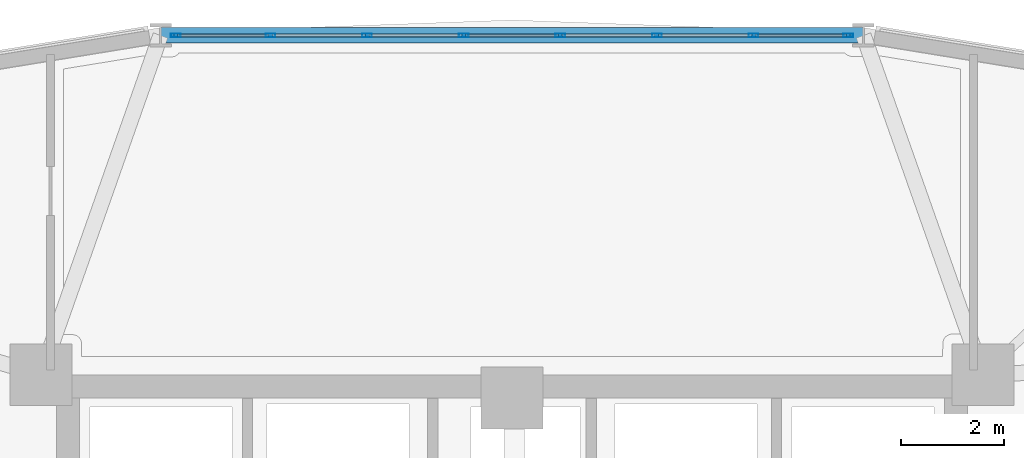
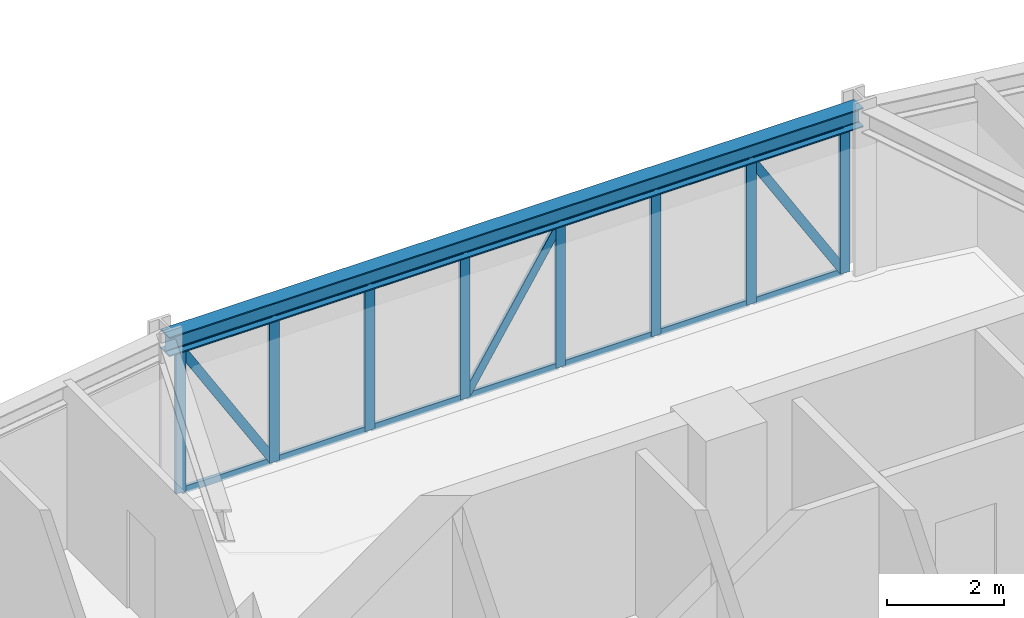
# One storey, part 8 of 17: 25 members, 1 beam, 1 element without a shape of its own.
"""IFC4 building model written with IfcOpenShell, lengths in metres."""

from ifc_helpers import new_model, si_unit, derived_unit, direction, frame, origin, origin_2d, place, context, subcontext, project, spatial, hollow_rectangle, i_section, extrude, source, transform, mapped, material, layer, layer_set, material_profile, profile_set, type_object, element, aggregate, save


model = new_model("IFC4")

# Units and contexts
model_context = context("Model", 3, precision=1e-05, world=origin(), true_north=direction((0.0, 1.0)))
body_context = subcontext(model_context, "Body", "Model", "MODEL_VIEW")
ifc_project = project(units=[si_unit("LENGTHUNIT", "METRE"), si_unit("AREAUNIT", "SQUARE_METRE"), si_unit("VOLUMEUNIT", "CUBIC_METRE"), si_unit("PLANEANGLEUNIT", "RADIAN"), si_unit("MASSUNIT", "GRAM", prefix="KILO"), derived_unit("THERMALTRANSMITTANCEUNIT", [(si_unit("POWERUNIT", "WATT"), 1), (si_unit("LENGTHUNIT", "METRE"), -2), (si_unit("THERMODYNAMICTEMPERATUREUNIT", "KELVIN"), -1)])], contexts=[model_context])

# Site, building, storey
site_placement = place(None, origin())
site = spatial("IfcSite", under=ifc_project, at=site_placement, CompositionType="ELEMENT")
building_placement = place(site_placement, origin())
building = spatial("IfcBuilding", under=site, at=building_placement, Name="Korsvarv Bourse and Concert Hall", CompositionType="ELEMENT")
storey_placement = place(building_placement, frame((0.0, 0.0, 124.199951171875)))
storey = spatial("IfcBuildingStorey", under=building, at=storey_placement, Name="L31", CompositionType="ELEMENT", Elevation=124.199951171875)

# Beam
ifc_material_1 = material(Name="Steel S355", Category="steel")
ifc_material_profile_1 = material_profile(ifc_material_1, i_section(OverallWidth=0.300048828125, OverallDepth=0.39990234375, WebThickness=0.013427734375, FlangeThickness=0.02392578125, FilletRadius=0.02099609375, at=origin_2d()), Name="HEB 400")
ifc_profile_set_1 = profile_set([ifc_material_profile_1], Name="Steel S355")
beam_type = type_object("IfcBeamType", Name="BM-HEB400", PredefinedType="SPANDREL", material=ifc_profile_set_1)
shared_shape_1 = source(origin(), body_context, "Body", "SweptSolid", [
    extrude(i_section(OverallWidth=0.300048828125, OverallDepth=0.39990234375, WebThickness=0.013427734375, FlangeThickness=0.02392578125, FilletRadius=0.02099609375, at=origin_2d()), origin(), (0.0, 0.0, 1.0), 13.6533203125),
])
beam_placement = place(storey_placement, frame((42.82666015625, 53.84130859375, 3.199951171875), z_axis=(-1.0, 0.0, 0.0), x_axis=(0.0, -1.0, 0.0)))
element("IfcBeam", 1, at=beam_placement, inside=storey, type_object=beam_type, Name="L31 beam B-09", PredefinedType="SPANDREL", context=body_context, shape_type="MappedRepresentation", body=[
    mapped(shared_shape_1, transform((0.0, 0.0, 0.0), scale=1.0)),
])

# Curtain wall, members
ifc_material_2 = material(Name="Anodised aluminium and triple low-E glazing", Category="glass")
ifc_layer = layer(ifc_material_2, 0.2099609375)
ifc_layer_set = layer_set([ifc_layer], Name="Anodised aluminium and triple low-E glazing")
curtain_wall_type = type_object("IfcCurtainWallType", Name="CW-SYS-2", PredefinedType="NOTDEFINED", material=ifc_layer_set)
curtain_wall_placement = place(storey_placement, origin())
curtain_wall = element("IfcCurtainWall", 2, at=curtain_wall_placement, inside=storey, type_object=curtain_wall_type, Name="L31 CW2 curtain wall CW-L31-F03", PredefinedType="NOTDEFINED")
ifc_material_3 = material(Name="Extruded aluminium EN AW-6063 T66", Category="aluminium")
ifc_material_profile_2 = material_profile(ifc_material_3, hollow_rectangle(XDim=0.070068359375, YDim=0.18994140625, WallThickness=0.0048828125, at=origin_2d()), Name="ALU-M 70x190")
ifc_profile_set_2 = profile_set([ifc_material_profile_2], Name="Extruded aluminium EN AW-6063 T66")
member_type_1 = type_object("IfcMemberType", Name="CWM-190", PredefinedType="MULLION", material=ifc_profile_set_2)
shared_shape_2 = source(origin(), body_context, "Body", "SweptSolid", [
    extrude(hollow_rectangle(XDim=0.070068359375, YDim=0.18994140625, WallThickness=0.0048828125, at=origin_2d()), origin(), (0.0, 0.0, 1.0), 3.0),
])
member_1_placement = place(storey_placement, frame((42.53271484375, 53.84130859375, 0.0), z_axis=(0.0, 0.0, 1.0), x_axis=(0.0, -1.0, 0.0)))
member_1 = element("IfcMember", 3, at=member_1_placement, type_object=member_type_1, Name="CW2 mullion 1", PredefinedType="MULLION", context=body_context, shape_type="MappedRepresentation", body=[
    mapped(shared_shape_2, transform((0.0, 0.0, 0.0), scale=1.0)),
])
member_2_placement = place(storey_placement, frame((40.691162109375, 53.84130859375, 0.0), z_axis=(0.0, 0.0, 1.0), x_axis=(0.0, -1.0, 0.0)))
member_2 = element("IfcMember", 4, at=member_2_placement, type_object=member_type_1, Name="CW2 mullion 2", PredefinedType="MULLION", context=body_context, shape_type="MappedRepresentation", body=[
    mapped(shared_shape_2, transform((0.0, 0.0, 0.0), scale=1.0)),
])
member_3_placement = place(storey_placement, frame((38.814697265625, 53.84130859375, 0.0), z_axis=(0.0, 0.0, 1.0), x_axis=(0.0, -1.0, 0.0)))
member_3 = element("IfcMember", 5, at=member_3_placement, type_object=member_type_1, Name="CW2 mullion 3", PredefinedType="MULLION", context=body_context, shape_type="MappedRepresentation", body=[
    mapped(shared_shape_2, transform((0.0, 0.0, 0.0), scale=1.0)),
])
member_4_placement = place(storey_placement, frame((36.938232421875, 53.84130859375, 0.0), z_axis=(0.0, 0.0, 1.0), x_axis=(0.0, -1.0, 0.0)))
member_4 = element("IfcMember", 6, at=member_4_placement, type_object=member_type_1, Name="CW2 mullion 4", PredefinedType="MULLION", context=body_context, shape_type="MappedRepresentation", body=[
    mapped(shared_shape_2, transform((0.0, 0.0, 0.0), scale=1.0)),
])
member_5_placement = place(storey_placement, frame((35.061767578125, 53.84130859375, 0.0), z_axis=(0.0, 0.0, 1.0), x_axis=(0.0, -1.0, 0.0)))
member_5 = element("IfcMember", 7, at=member_5_placement, type_object=member_type_1, Name="CW2 mullion 5", PredefinedType="MULLION", context=body_context, shape_type="MappedRepresentation", body=[
    mapped(shared_shape_2, transform((0.0, 0.0, 0.0), scale=1.0)),
])
member_6_placement = place(storey_placement, frame((33.185302734375, 53.84130859375, 0.0), z_axis=(0.0, 0.0, 1.0), x_axis=(0.0, -1.0, 0.0)))
member_6 = element("IfcMember", 8, at=member_6_placement, type_object=member_type_1, Name="CW2 mullion 6", PredefinedType="MULLION", context=body_context, shape_type="MappedRepresentation", body=[
    mapped(shared_shape_2, transform((0.0, 0.0, 0.0), scale=1.0)),
])
member_7_placement = place(storey_placement, frame((31.308837890625, 53.84130859375, 0.0), z_axis=(0.0, 0.0, 1.0), x_axis=(0.0, -1.0, 0.0)))
member_7 = element("IfcMember", 9, at=member_7_placement, type_object=member_type_1, Name="CW2 mullion 7", PredefinedType="MULLION", context=body_context, shape_type="MappedRepresentation", body=[
    mapped(shared_shape_2, transform((0.0, 0.0, 0.0), scale=1.0)),
])
member_8_placement = place(storey_placement, frame((29.46728515625, 53.84130859375, 0.0), z_axis=(0.0, 0.0, 1.0), x_axis=(0.0, -1.0, 0.0)))
member_8 = element("IfcMember", 10, at=member_8_placement, type_object=member_type_1, Name="CW2 mullion 8", PredefinedType="MULLION", context=body_context, shape_type="MappedRepresentation", body=[
    mapped(shared_shape_2, transform((0.0, 0.0, 0.0), scale=1.0)),
])
ifc_material_profile_3 = material_profile(ifc_material_3, hollow_rectangle(XDim=0.06494140625, YDim=0.139892578125, WallThickness=0.00390625, at=origin_2d()), Name="ALU-T 65x140")
ifc_profile_set_3 = profile_set([ifc_material_profile_3], Name="Extruded aluminium EN AW-6063 T66")
member_type_2 = type_object("IfcMemberType", Name="CWT-140", PredefinedType="USERDEFINED", material=ifc_profile_set_3)
shared_shape_3 = source(origin(), body_context, "Body", "SweptSolid", [
    extrude(hollow_rectangle(XDim=0.06494140625, YDim=0.139892578125, WallThickness=0.00390625, at=origin_2d()), origin(), (0.0, 0.0, 1.0), 1.771484375),
])
member_9_placement = place(storey_placement, frame((42.497802734375, 53.84130859375, 0.032470703125), z_axis=(-1.0, 0.0, 0.0), x_axis=(0.0, -1.0, 0.0)))
member_9 = element("IfcMember", 11, at=member_9_placement, type_object=member_type_2, Name="CW2 transom 1.1", ObjectType="TRANSOM", PredefinedType="USERDEFINED", context=body_context, shape_type="MappedRepresentation", body=[
    mapped(shared_shape_3, transform((0.0, 0.0, 0.0), scale=1.0)),
])
member_10_placement = place(storey_placement, frame((42.497802734375, 53.84130859375, 2.967529296875), z_axis=(-1.0, 0.0, 0.0), x_axis=(0.0, -1.0, 0.0)))
member_10 = element("IfcMember", 12, at=member_10_placement, type_object=member_type_2, Name="CW2 transom 1.2", ObjectType="TRANSOM", PredefinedType="USERDEFINED", context=body_context, shape_type="MappedRepresentation", body=[
    mapped(shared_shape_3, transform((0.0, 0.0, 0.0), scale=1.0)),
])
member_11_placement = place(storey_placement, frame((31.273681640625, 53.84130859375, 0.032470703125), z_axis=(-1.0, 0.0, 0.0), x_axis=(0.0, -1.0, 0.0)))
member_11 = element("IfcMember", 13, at=member_11_placement, type_object=member_type_2, Name="CW2 transom 7.1", ObjectType="TRANSOM", PredefinedType="USERDEFINED", context=body_context, shape_type="MappedRepresentation", body=[
    mapped(shared_shape_3, transform((0.0, 0.0, 0.0), scale=1.0)),
])
member_12_placement = place(storey_placement, frame((31.273681640625, 53.84130859375, 2.967529296875), z_axis=(-1.0, 0.0, 0.0), x_axis=(0.0, -1.0, 0.0)))
member_12 = element("IfcMember", 14, at=member_12_placement, type_object=member_type_2, Name="CW2 transom 7.2", ObjectType="TRANSOM", PredefinedType="USERDEFINED", context=body_context, shape_type="MappedRepresentation", body=[
    mapped(shared_shape_3, transform((0.0, 0.0, 0.0), scale=1.0)),
])
shared_shape_4 = source(origin(), body_context, "Body", "SweptSolid", [
    extrude(hollow_rectangle(XDim=0.06494140625, YDim=0.139892578125, WallThickness=0.00390625, at=origin_2d()), origin(), (0.0, 0.0, 1.0), 1.806640625),
])
member_13_placement = place(storey_placement, frame((40.65625, 53.84130859375, 0.032470703125), z_axis=(-1.0, 0.0, 0.0), x_axis=(0.0, -1.0, 0.0)))
member_13 = element("IfcMember", 15, at=member_13_placement, type_object=member_type_2, Name="CW2 transom 2.1", ObjectType="TRANSOM", PredefinedType="USERDEFINED", context=body_context, shape_type="MappedRepresentation", body=[
    mapped(shared_shape_4, transform((0.0, 0.0, 0.0), scale=1.0)),
])
member_14_placement = place(storey_placement, frame((40.65625, 53.84130859375, 2.967529296875), z_axis=(-1.0, 0.0, 0.0), x_axis=(0.0, -1.0, 0.0)))
member_14 = element("IfcMember", 16, at=member_14_placement, type_object=member_type_2, Name="CW2 transom 2.2", ObjectType="TRANSOM", PredefinedType="USERDEFINED", context=body_context, shape_type="MappedRepresentation", body=[
    mapped(shared_shape_4, transform((0.0, 0.0, 0.0), scale=1.0)),
])
member_15_placement = place(storey_placement, frame((38.77978515625, 53.84130859375, 0.032470703125), z_axis=(-1.0, 0.0, 0.0), x_axis=(0.0, -1.0, 0.0)))
member_15 = element("IfcMember", 17, at=member_15_placement, type_object=member_type_2, Name="CW2 transom 3.1", ObjectType="TRANSOM", PredefinedType="USERDEFINED", context=body_context, shape_type="MappedRepresentation", body=[
    mapped(shared_shape_4, transform((0.0, 0.0, 0.0), scale=1.0)),
])
member_16_placement = place(storey_placement, frame((38.77978515625, 53.84130859375, 2.967529296875), z_axis=(-1.0, 0.0, 0.0), x_axis=(0.0, -1.0, 0.0)))
member_16 = element("IfcMember", 18, at=member_16_placement, type_object=member_type_2, Name="CW2 transom 3.2", ObjectType="TRANSOM", PredefinedType="USERDEFINED", context=body_context, shape_type="MappedRepresentation", body=[
    mapped(shared_shape_4, transform((0.0, 0.0, 0.0), scale=1.0)),
])
member_17_placement = place(storey_placement, frame((36.9033203125, 53.84130859375, 0.032470703125), z_axis=(-1.0, 0.0, 0.0), x_axis=(0.0, -1.0, 0.0)))
member_17 = element("IfcMember", 19, at=member_17_placement, type_object=member_type_2, Name="CW2 transom 4.1", ObjectType="TRANSOM", PredefinedType="USERDEFINED", context=body_context, shape_type="MappedRepresentation", body=[
    mapped(shared_shape_4, transform((0.0, 0.0, 0.0), scale=1.0)),
])
member_18_placement = place(storey_placement, frame((36.9033203125, 53.84130859375, 2.967529296875), z_axis=(-1.0, 0.0, 0.0), x_axis=(0.0, -1.0, 0.0)))
member_18 = element("IfcMember", 20, at=member_18_placement, type_object=member_type_2, Name="CW2 transom 4.2", ObjectType="TRANSOM", PredefinedType="USERDEFINED", context=body_context, shape_type="MappedRepresentation", body=[
    mapped(shared_shape_4, transform((0.0, 0.0, 0.0), scale=1.0)),
])
member_19_placement = place(storey_placement, frame((35.02685546875, 53.84130859375, 0.032470703125), z_axis=(-1.0, 0.0, 0.0), x_axis=(0.0, -1.0, 0.0)))
member_19 = element("IfcMember", 21, at=member_19_placement, type_object=member_type_2, Name="CW2 transom 5.1", ObjectType="TRANSOM", PredefinedType="USERDEFINED", context=body_context, shape_type="MappedRepresentation", body=[
    mapped(shared_shape_4, transform((0.0, 0.0, 0.0), scale=1.0)),
])
member_20_placement = place(storey_placement, frame((35.02685546875, 53.84130859375, 2.967529296875), z_axis=(-1.0, 0.0, 0.0), x_axis=(0.0, -1.0, 0.0)))
member_20 = element("IfcMember", 22, at=member_20_placement, type_object=member_type_2, Name="CW2 transom 5.2", ObjectType="TRANSOM", PredefinedType="USERDEFINED", context=body_context, shape_type="MappedRepresentation", body=[
    mapped(shared_shape_4, transform((0.0, 0.0, 0.0), scale=1.0)),
])
member_21_placement = place(storey_placement, frame((33.150390625, 53.84130859375, 0.032470703125), z_axis=(-1.0, 0.0, 0.0), x_axis=(0.0, -1.0, 0.0)))
member_21 = element("IfcMember", 23, at=member_21_placement, type_object=member_type_2, Name="CW2 transom 6.1", ObjectType="TRANSOM", PredefinedType="USERDEFINED", context=body_context, shape_type="MappedRepresentation", body=[
    mapped(shared_shape_4, transform((0.0, 0.0, 0.0), scale=1.0)),
])
member_22_placement = place(storey_placement, frame((33.150390625, 53.84130859375, 2.967529296875), z_axis=(-1.0, 0.0, 0.0), x_axis=(0.0, -1.0, 0.0)))
member_22 = element("IfcMember", 24, at=member_22_placement, type_object=member_type_2, Name="CW2 transom 6.2", ObjectType="TRANSOM", PredefinedType="USERDEFINED", context=body_context, shape_type="MappedRepresentation", body=[
    mapped(shared_shape_4, transform((0.0, 0.0, 0.0), scale=1.0)),
])
ifc_material_profile_4 = material_profile(ifc_material_3, hollow_rectangle(XDim=0.06494140625, YDim=0.1650390625, WallThickness=0.0048828125, at=origin_2d()), Name="ALU-M 65x165")
ifc_profile_set_4 = profile_set([ifc_material_profile_4], Name="Extruded aluminium EN AW-6063 T66")
member_type_3 = type_object("IfcMemberType", Name="CWM-165", PredefinedType="MULLION", material=ifc_profile_set_4)
shared_shape_5 = source(origin(), body_context, "Body", "SweptSolid", [
    extrude(hollow_rectangle(XDim=0.06494140625, YDim=0.1650390625, WallThickness=0.0048828125, at=origin_2d()), origin(), (0.0, 0.0, 1.0), 3.372802734375),
])
member_23_placement = place(storey_placement, frame((42.497802734375, 53.84130859375, 0.06494140625), z_axis=(-0.525227789923, 0.0, 0.850961672869), x_axis=(0.0, -1.0, 0.0)))
member_23 = element("IfcMember", 25, at=member_23_placement, type_object=member_type_3, Name="CW2 diagonal mullion 1", PredefinedType="MULLION", context=body_context, shape_type="MappedRepresentation", body=[
    mapped(shared_shape_5, transform((0.0, 0.0, 0.0), scale=1.0)),
])
member_24_placement = place(storey_placement, frame((31.273681640625, 53.84130859375, 0.06494140625), z_axis=(-0.525227789923, 0.0, 0.850961672869), x_axis=(0.0, -1.0, 0.0)))
member_24 = element("IfcMember", 26, at=member_24_placement, type_object=member_type_3, Name="CW2 diagonal mullion 7", PredefinedType="MULLION", context=body_context, shape_type="MappedRepresentation", body=[
    mapped(shared_shape_5, transform((0.0, 0.0, 0.0), scale=1.0)),
])
shared_shape_6 = source(origin(), body_context, "Body", "SweptSolid", [
    extrude(hollow_rectangle(XDim=0.06494140625, YDim=0.1650390625, WallThickness=0.0048828125, at=origin_2d()), origin(), (0.0, 0.0, 1.0), 3.391357421875),
])
member_25_placement = place(storey_placement, frame((35.0966796875, 53.84130859375, 0.06494140625), z_axis=(0.532713981461, 0.0, 0.846295346765), x_axis=(0.0, 1.0, 0.0)))
member_25 = element("IfcMember", 27, at=member_25_placement, type_object=member_type_3, Name="CW2 diagonal mullion 4", PredefinedType="MULLION", context=body_context, shape_type="MappedRepresentation", body=[
    mapped(shared_shape_6, transform((0.0, 0.0, 0.0), scale=1.0)),
])
aggregate(curtain_wall, [member_1, member_2, member_3, member_4, member_5, member_6, member_7, member_8, member_9, member_10, member_23, member_13, member_14, member_15, member_16, member_17, member_18, member_25, member_19, member_20, member_21, member_22, member_11, member_12, member_24])

save(model, "model.ifc")
